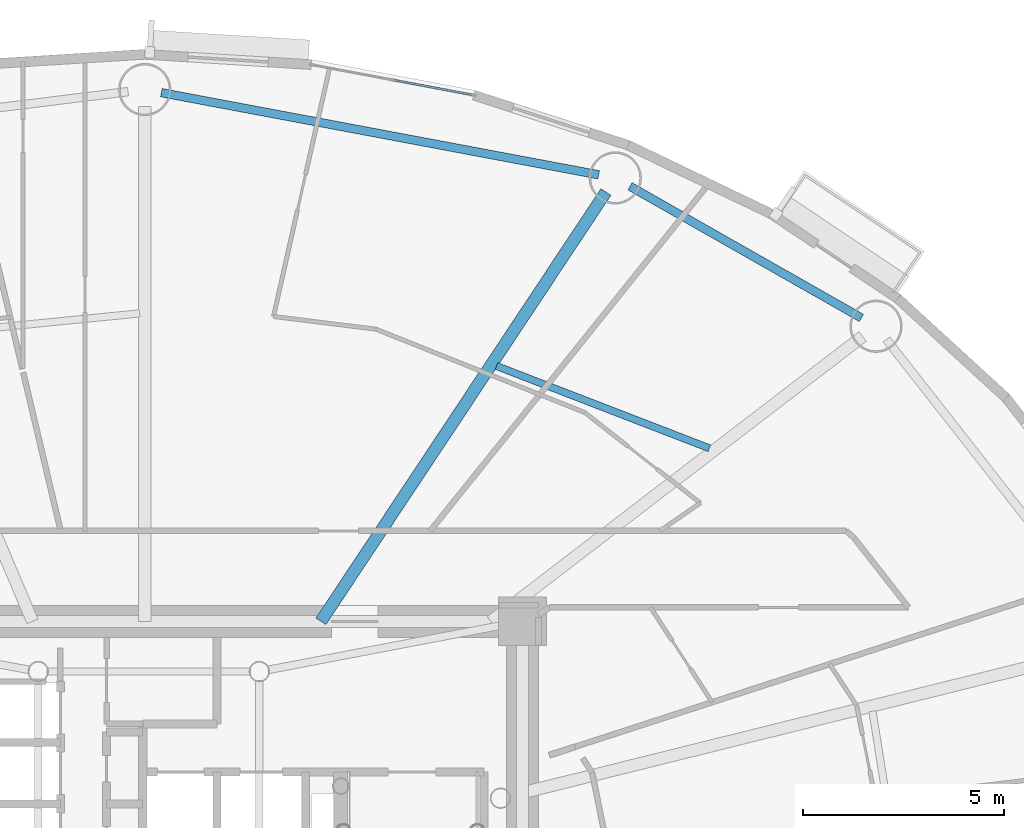
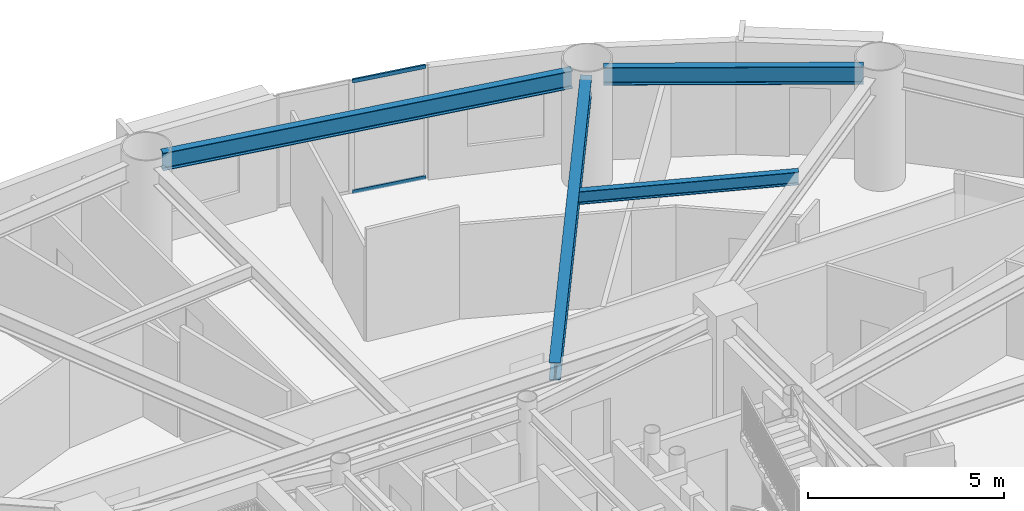
# One storey, part 5 of 20: 4 beams, 2 members, 1 element without a shape of its own.
"""IFC4 building model written with IfcOpenShell, lengths in metres."""

from ifc_helpers import new_model, si_unit, direction, frame, origin, origin_2d, place, context, subcontext, project, spatial, hollow_rectangle, i_section, extrude, source, transform, mapped, material, layer, layer_set, material_profile, profile_set, type_object, element, aggregate, save


model = new_model("IFC4")

# Units and contexts
model_context = context("Model", 3, precision=1e-05, world=origin(), true_north=direction((0.0, 1.0)))
body_context = subcontext(model_context, "Body", "Model", "MODEL_VIEW")
ifc_project = project(units=[si_unit("LENGTHUNIT", "METRE"), si_unit("AREAUNIT", "SQUARE_METRE"), si_unit("VOLUMEUNIT", "CUBIC_METRE"), si_unit("PLANEANGLEUNIT", "RADIAN"), si_unit("MASSUNIT", "GRAM", prefix="KILO")], contexts=[model_context])

# Site, building, storey
site_placement = place(None, origin())
site = spatial("IfcSite", under=ifc_project, at=site_placement, CompositionType="ELEMENT")
building_placement = place(site_placement, origin())
building = spatial("IfcBuilding", under=site, at=building_placement, Name="Linh Dai School and Residence Tower", CompositionType="ELEMENT")
storey_placement = place(building_placement, frame((0.0, 0.0, 163.64990234375)))
storey = spatial("IfcBuildingStorey", under=building, at=storey_placement, Name="L39", CompositionType="ELEMENT", Elevation=163.64990234375)

# Beams
ifc_material_1 = material(Name="Structural Steel S355JR", Category="steel")
ifc_material_profile_1 = material_profile(ifc_material_1, i_section(OverallWidth=0.2099609375, OverallDepth=0.550048828125, WebThickness=0.010986328125, FlangeThickness=0.01708984375, FilletRadius=0.02392578125, at=origin_2d()), Name="IPE 550")
ifc_profile_set_1 = profile_set([ifc_material_profile_1], Name="Structural Steel S355JR")
beam_type_1 = type_object("IfcBeamType", Name="BM-RB55", PredefinedType="BEAM", material=ifc_profile_set_1)
beam_1_placement = place(storey_placement, frame((53.827392578125, 41.1494140625, 3.22509765625), z_axis=(-0.869262164011, 0.49435138335, 0.0), x_axis=(-0.49435138335, -0.869262164011, 0.0)))
element("IfcBeam", 1, at=beam_1_placement, inside=storey, type_object=beam_type_1, Name="L39 Perimeter Elliptical Ring Beam 03", PredefinedType="BEAM", context=body_context, shape_type="SweptSolid", body=[
    extrude(i_section(OverallWidth=0.2099609375, OverallDepth=0.550048828125, WebThickness=0.010986328125, FlangeThickness=0.01708984375, FilletRadius=0.02392578125, at=origin_2d()), origin(), (0.0, 0.0, 1.0), 6.62255859375),
])
beam_2_placement = place(storey_placement, frame((47.292724609375, 44.70849609375, 3.22509765625), z_axis=(-0.98280721278, 0.184634727255, 0.0), x_axis=(-0.184634727255, -0.98280721278, 0.0)))
element("IfcBeam", 2, at=beam_2_placement, inside=storey, type_object=beam_type_1, Name="L39 Perimeter Elliptical Ring Beam 04", PredefinedType="BEAM", context=body_context, shape_type="SweptSolid", body=[
    extrude(i_section(OverallWidth=0.2099609375, OverallDepth=0.550048828125, WebThickness=0.010986328125, FlangeThickness=0.01708984375, FilletRadius=0.02392578125, at=origin_2d()), origin(), (0.0, 0.0, 1.0), 11.0703125),
])
ifc_material_profile_2 = material_profile(ifc_material_1, i_section(OverallWidth=0.300048828125, OverallDepth=0.550048828125, WebThickness=0.014892578125, FlangeThickness=0.029052734375, FilletRadius=0.027099609375, at=origin_2d()), Name="HEB 550")
ifc_profile_set_2 = profile_set([ifc_material_profile_2], Name="Structural Steel S355JR")
beam_type_2 = type_object("IfcBeamType", Name="BM-RG55", PredefinedType="BEAM", material=ifc_profile_set_2)
beam_3_placement = place(storey_placement, frame((40.3818359375, 33.60009765625, 3.22509765625), z_axis=(0.553117176317, 0.833103468522, 0.0), x_axis=(-0.833103468522, 0.553117176317, 0.0)))
element("IfcBeam", 3, at=beam_3_placement, inside=storey, type_object=beam_type_2, Name="L39 Primary Radial Floor Girder 04", PredefinedType="BEAM", context=body_context, shape_type="SweptSolid", body=[
    extrude(i_section(OverallWidth=0.300048828125, OverallDepth=0.550048828125, WebThickness=0.014892578125, FlangeThickness=0.029052734375, FilletRadius=0.027099609375, at=origin_2d()), origin(), (0.0, 0.0, 1.0), 12.820556640625),
])
ifc_material_profile_3 = material_profile(ifc_material_1, i_section(OverallWidth=0.179931640625, OverallDepth=0.39990234375, WebThickness=0.008544921875, FlangeThickness=0.013427734375, FilletRadius=0.02099609375, at=origin_2d()), Name="IPE 400")
ifc_profile_set_3 = profile_set([ifc_material_profile_3], Name="Structural Steel S355JR")
beam_type_3 = type_object("IfcBeamType", Name="BM-SB40", PredefinedType="BEAM", material=ifc_profile_set_3)
beam_4_placement = place(storey_placement, frame((50.047607421875, 37.905029296875, 3.300048828125), z_axis=(-0.932814887644, 0.360355914881, 0.0), x_axis=(-0.360355914881, -0.932814887644, 0.0)))
element("IfcBeam", 4, at=beam_4_placement, inside=storey, type_object=beam_type_3, Name="L39 Secondary Circumferential Floor Beam 02", PredefinedType="BEAM", context=body_context, shape_type="SweptSolid", body=[
    extrude(i_section(OverallWidth=0.179931640625, OverallDepth=0.39990234375, WebThickness=0.008544921875, FlangeThickness=0.013427734375, FilletRadius=0.02099609375, at=origin_2d()), origin(), (0.0, 0.0, 1.0), 5.67822265625),
])

# Curtain wall, members
ifc_material_2 = material(Name="Aluminium Anodised Curtain Wall", Category="aluminium")
ifc_layer = layer(ifc_material_2, 0.14990234375)
ifc_layer_set = layer_set([ifc_layer], Name="Aluminium Anodised Curtain Wall")
curtain_wall_type = type_object("IfcCurtainWallType", Name="CW-SYS-4", PredefinedType="USERDEFINED", material=ifc_layer_set)
curtain_wall_placement = place(storey_placement, origin())
curtain_wall = element("IfcCurtainWall", 5, at=curtain_wall_placement, inside=storey, type_object=curtain_wall_type, Name="L39 CW4 Curtain Wall 09", ObjectType="RIBBON CURTAIN WALL", PredefinedType="USERDEFINED")
ifc_material_3 = material(Name="Aluminium Alloy 6063-T6", Category="aluminium")
ifc_material_profile_4 = material_profile(ifc_material_3, hollow_rectangle(XDim=0.052001953125, YDim=0.114990234375, WallThickness=0.00390625, at=origin_2d()), Name="RHS 115x52x4")
ifc_profile_set_4 = profile_set([ifc_material_profile_4], Name="Aluminium Alloy 6063-T6")
member_type = type_object("IfcMemberType", Name="CW-SYS-4-TRN", PredefinedType="USERDEFINED", material=ifc_profile_set_4)
shared_shape = source(origin(), body_context, "Body", "SweptSolid", [
    extrude(hollow_rectangle(XDim=0.052001953125, YDim=0.114990234375, WallThickness=0.00390625, at=origin_2d()), origin(), (0.0, 0.0, 1.0), 1.979248046875),
])
member_1_placement = place(storey_placement, frame((42.19287109375, 47.064697265625, 0.026123046875), z_axis=(0.982778495778, -0.184787521862, 0.0), x_axis=(0.184787521862, 0.982778495778, 0.0)))
member_1 = element("IfcMember", 6, at=member_1_placement, type_object=member_type, Name="CW4 transom 2.1", ObjectType="TRANSOM", PredefinedType="USERDEFINED", context=body_context, shape_type="MappedRepresentation", body=[
    mapped(shared_shape, transform((0.0, 0.0, 0.0), x_axis=(1.0, 0.0, 0.0), y_axis=(0.0, 1.0, 0.0), z_axis=(0.0, 0.0, 1.0), scale=1.0)),
])
member_2_placement = place(storey_placement, frame((42.19287109375, 47.064697265625, 3.47412109375), z_axis=(0.982778495778, -0.184787521862, 0.0), x_axis=(0.184787521862, 0.982778495778, 0.0)))
member_2 = element("IfcMember", 7, at=member_2_placement, type_object=member_type, Name="CW4 transom 2.2", ObjectType="TRANSOM", PredefinedType="USERDEFINED", context=body_context, shape_type="MappedRepresentation", body=[
    mapped(shared_shape, transform((0.0, 0.0, 0.0), x_axis=(1.0, 0.0, 0.0), y_axis=(0.0, 1.0, 0.0), z_axis=(0.0, 0.0, 1.0), scale=1.0)),
])
aggregate(curtain_wall, [member_1, member_2])

save(model, "model.ifc")
